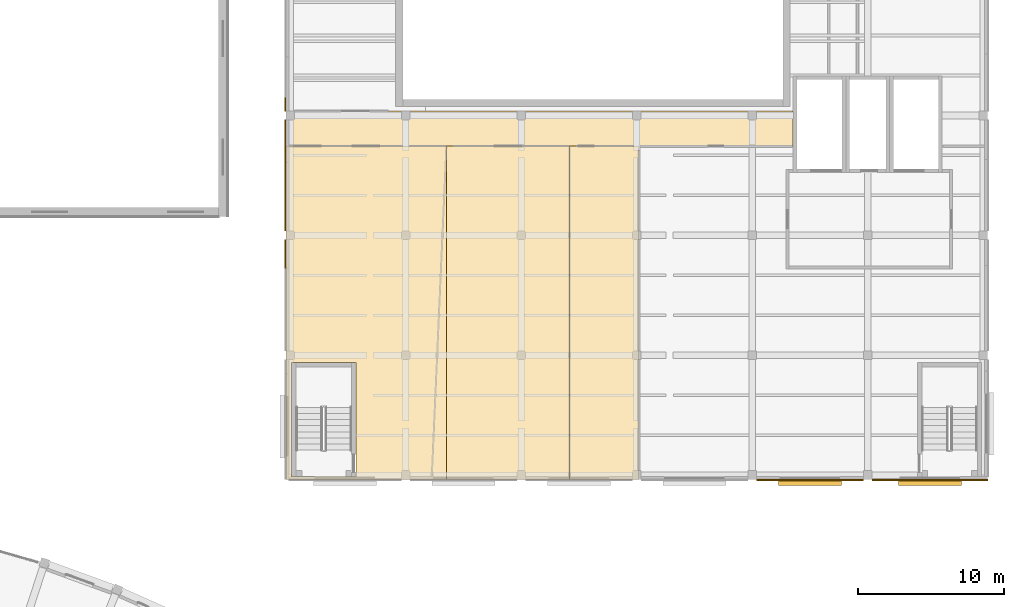
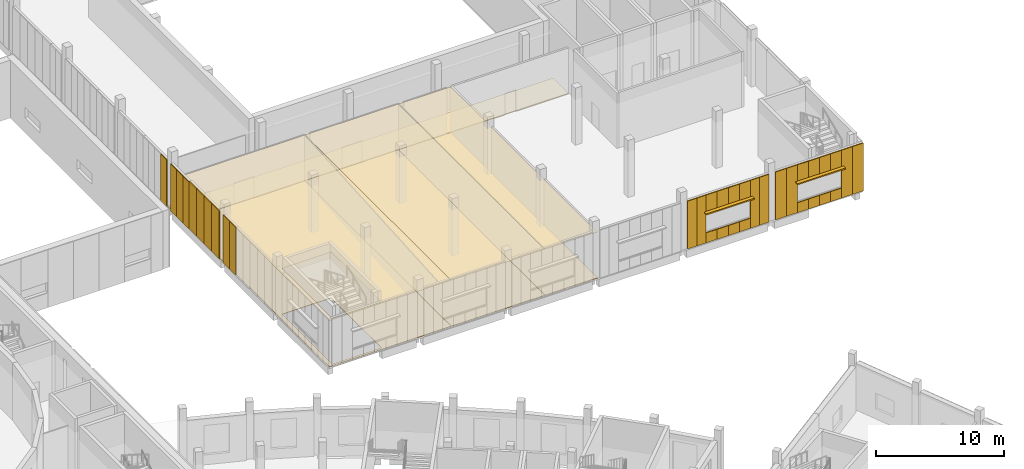
# One storey, part 83 of 87: 41 coverings, 2 shading devices.
"""IFC4 building model written with IfcOpenShell, lengths in metres."""

import ifcopenshell
import ifcopenshell.guid

model = None  # the IFC model being written
_history = None  # IfcOwnerHistory: only IFC2X3 demands one
_inside = {}  # id of a spatial element -> (the spatial element, [elements in it])
_under = {}  # id of a project, library or spatial element -> (it, [spatial elements below it])
_declared = {}  # id of a project -> (the project, [libraries it declares])
_typed = {}  # id of a type object -> (the type object, [elements of that type])
_made_of = {}  # id of a material, layer set ... -> (it, [elements and type objects made of it])


def new_model(schema):
    """Start an empty IFC model of exactly this schema.

    Asked for "IFC4X3", IfcOpenShell would pick the latest addendum, in which some entities
    have other attributes; the version numbers below select the first issue.
    IFC2X3 requires an IfcOwnerHistory on every rooted entity: one is made here for all.
    """
    global model, _history
    if schema == "IFC4X3":
        model = ifcopenshell.file(schema_version=(4, 3, 0, 0))
    else:
        model = ifcopenshell.file(schema=schema)
    _inside.clear()
    _under.clear()
    _declared.clear()
    _typed.clear()
    _made_of.clear()
    _history = None
    if model.schema == "IFC2X3":
        org = make("IfcOrganization", Name="unknown")
        user = make(
            "IfcPersonAndOrganization",
            ThePerson=make("IfcPerson", FamilyName="unknown"),
            TheOrganization=org,
        )
        app = make(
            "IfcApplication",
            ApplicationDeveloper=org,
            Version="unknown",
            ApplicationFullName="unknown",
            ApplicationIdentifier="unknown",
        )
        _history = make(
            "IfcOwnerHistory",
            OwningUser=user,
            OwningApplication=app,
            ChangeAction="ADDED",
            CreationDate=0,
        )
    return model


def make(cls, **values):
    """One entity of the class cls with the attributes given. An attribute that is None is left unset."""
    return model.create_entity(
        cls, **{name: value for name, value in values.items() if value is not None}
    )


def rooted(cls, **values):
    """An entity with a GlobalId (a new one), such as an element, a storey or a relation."""
    return make(cls, GlobalId=ifcopenshell.guid.new(), OwnerHistory=_history, **values)


def si_unit(unit_type, name, prefix=None):
    """IfcSIUnit, for example si_unit("LENGTHUNIT", "METRE", prefix="MILLI")."""
    return make("IfcSIUnit", UnitType=unit_type, Prefix=prefix, Name=name)


def assignment(units):
    """IfcUnitAssignment: the units of a project."""
    return None if units is None else make("IfcUnitAssignment", Units=units)


def point(xyz):
    """IfcCartesianPoint."""
    return None if xyz is None else make("IfcCartesianPoint", Coordinates=xyz)


def direction(xyz):
    """IfcDirection."""
    return None if xyz is None else make("IfcDirection", DirectionRatios=xyz)


def frame(location, z_axis=None, x_axis=None):
    """IfcAxis2Placement3D, a coordinate frame: its origin and axes. An axis left out is left unset."""
    return make(
        "IfcAxis2Placement3D",
        Location=point(location),
        Axis=direction(z_axis),
        RefDirection=direction(x_axis),
    )


def frame_2d(location, x_axis=None):
    """IfcAxis2Placement2D, a coordinate frame in the plane: its origin and x axis."""
    return make(
        "IfcAxis2Placement2D", Location=point(location), RefDirection=direction(x_axis)
    )


def origin():
    """The frame at (0, 0, 0) with its axes left unset."""
    return frame((0.0, 0.0, 0.0))


def origin_2d():
    """The frame at (0, 0) in the plane with its x axis left unset."""
    return frame_2d((0.0, 0.0))


def place(relative_to, where):
    """IfcLocalPlacement: puts the frame where relative to a parent placement (None: the world)."""
    return make(
        "IfcLocalPlacement", PlacementRelTo=relative_to, RelativePlacement=where
    )


def context(
    kind, dimensions, precision=None, world=None, true_north=None, identifier=None
):
    """IfcGeometricRepresentationContext, for example the 3D "Model" context."""
    return make(
        "IfcGeometricRepresentationContext",
        ContextIdentifier=identifier,
        ContextType=kind,
        CoordinateSpaceDimension=dimensions,
        Precision=precision,
        WorldCoordinateSystem=world,
        TrueNorth=true_north,
    )


def subcontext(parent, identifier, kind, view, scale=None):
    """IfcGeometricRepresentationSubContext, for example "Body" below "Model"."""
    return make(
        "IfcGeometricRepresentationSubContext",
        ContextIdentifier=identifier,
        ContextType=kind,
        ParentContext=parent,
        TargetScale=scale,
        TargetView=view,
    )


def project(units=None, contexts=None):
    """IfcProject with its units and contexts."""
    return rooted(
        "IfcProject",
        Name="project",
        RepresentationContexts=contexts,
        UnitsInContext=assignment(units),
    )


def spatial(cls, under=None, at=None, **own):
    """A site, building, storey or space (cls), placed at a placement, below another one or the project."""
    s = rooted(cls, ObjectPlacement=at, **own)
    if under is not None:
        _under.setdefault(under.id(), (under, []))[1].append(s)
    return s


def polyline(points):
    """IfcPolyline through the points."""
    return make("IfcPolyline", Points=[point(p) for p in points])


def profile(cls, at=None, kind="AREA", **sizes):
    """A parametric profile (cls). Its sizes go by their IFC names, for example OverallWidth=200.0."""
    return make(cls, ProfileType=kind, Position=at, **sizes)


def rectangle(**sizes):
    """IfcRectangleProfileDef."""
    return profile("IfcRectangleProfileDef", **sizes)


def outline(outer, holes=None, kind="AREA"):
    """IfcArbitraryClosedProfileDef: a profile drawn as a closed curve; with holes, ...WithVoids."""
    if holes is None:
        return make("IfcArbitraryClosedProfileDef", ProfileType=kind, OuterCurve=outer)
    return make(
        "IfcArbitraryProfileDefWithVoids",
        ProfileType=kind,
        OuterCurve=outer,
        InnerCurves=holes,
    )


def extrude(swept, where, along, depth):
    """IfcExtrudedAreaSolid: the profile swept, set in the frame where, extruded along a direction by depth."""
    return make(
        "IfcExtrudedAreaSolid",
        SweptArea=swept,
        Position=where,
        ExtrudedDirection=direction(along),
        Depth=depth,
    )


def shape(context_of_items, identifier, shape_type, items):
    """IfcShapeRepresentation: the items that make up one representation, for example the "Body"."""
    return make(
        "IfcShapeRepresentation",
        ContextOfItems=context_of_items,
        RepresentationIdentifier=identifier,
        RepresentationType=shape_type,
        Items=items,
    )


def material(Name=None, Category=None):
    """IfcMaterial."""
    return make("IfcMaterial", Name=Name, Category=Category)


def layer(
    of_material, thickness, ventilated=None, Name=None, Category=None, Priority=None
):
    """IfcMaterialLayer: one layer of a wall or slab, of a material (None: an air gap)."""
    return make(
        "IfcMaterialLayer",
        Material=of_material,
        LayerThickness=thickness,
        IsVentilated=ventilated,
        Name=Name,
        Category=Category,
        Priority=Priority,
    )


def layer_set(layers, Name=None):
    """IfcMaterialLayerSet."""
    return make("IfcMaterialLayerSet", MaterialLayers=layers, LayerSetName=Name)


def made_of(thing, what):
    """Note that an element or type object is made of a material, layer set ...; save() writes the relation."""
    if what is not None:
        _made_of.setdefault(what.id(), (what, []))[1].append(thing)
    return thing


def type_object(cls, material=None, **own):
    """A type object (cls), such as IfcWallType, which elements share."""
    return made_of(rooted(cls, **own), material)


def element(
    cls,
    number,
    at=None,
    inside=None,
    cuts=None,
    type_object=None,
    material=None,
    context=None,
    identifier="Body",
    shape_type=None,
    held_by="IfcProductDefinitionShape",
    body=None,
    shapes=None,
    **own,
):
    """One element of the class cls, such as IfcWall. Its Tag is "e" and its number.

    at: its placement. inside: the storey or other place that contains it. cuts: it is an
    opening in that element (IfcRelVoidsElement). A single representation is given by context,
    identifier, shape_type and body (its items); several are given by shapes. held_by: the class
    of the entity that holds the representations. save() writes the other relations.
    """
    e = rooted(cls, Tag="e%d" % number, ObjectPlacement=at, **own)
    if body is not None:
        shapes = [shape(context, identifier, shape_type, body)]
    if shapes is not None:
        e.Representation = make(held_by, Representations=shapes)
    if inside is not None:
        _inside.setdefault(inside.id(), (inside, []))[1].append(e)
    if cuts is not None:
        rooted(
            "IfcRelVoidsElement", RelatingBuildingElement=cuts, RelatedOpeningElement=e
        )
    if type_object is not None:
        _typed.setdefault(type_object.id(), (type_object, []))[1].append(e)
    return made_of(e, material)


def aggregate(whole, parts):
    """IfcRelAggregates: a whole, such as a stair, and the parts it consists of."""
    return rooted("IfcRelAggregates", RelatingObject=whole, RelatedObjects=parts)


def save(model, path):
    """Write the relations noted so far, then the file.

    IfcRelAggregates (storeys below a building ...), IfcRelContainedInSpatialStructure (elements
    in a storey), IfcRelDefinesByType, IfcRelAssociatesMaterial and IfcRelDeclares: one each for
    every whole, place, type object, material and project.
    """
    for whole, parts in _under.values():
        aggregate(whole, parts)
    for where, things in _inside.values():
        rooted(
            "IfcRelContainedInSpatialStructure",
            RelatedElements=things,
            RelatingStructure=where,
        )
    for kind, things in _typed.values():
        rooted("IfcRelDefinesByType", RelatedObjects=things, RelatingType=kind)
    for what, things in _made_of.values():
        rooted("IfcRelAssociatesMaterial", RelatedObjects=things, RelatingMaterial=what)
    for by, libraries in _declared.values():
        rooted("IfcRelDeclares", RelatingContext=by, RelatedDefinitions=libraries)
    model.write(path)


model = new_model("IFC4")

# Units and contexts
model_context = context("Model", 3, precision=1e-05, world=origin(), true_north=direction((0.0, 1.0)))
body_context = subcontext(model_context, "Body", "Model", "MODEL_VIEW")
ifc_project = project(units=[si_unit("LENGTHUNIT", "METRE"), si_unit("AREAUNIT", "SQUARE_METRE"), si_unit("VOLUMEUNIT", "CUBIC_METRE"), si_unit("PLANEANGLEUNIT", "RADIAN"), si_unit("MASSUNIT", "GRAM", prefix="KILO")], contexts=[model_context])

# Site, building, storey
site_placement = place(None, origin())
site = spatial("IfcSite", under=ifc_project, at=site_placement, CompositionType="ELEMENT")
building_placement = place(site_placement, origin())
building = spatial("IfcBuilding", under=site, at=building_placement, Name="Lunette Opera House", CompositionType="ELEMENT")
storey_placement = place(building_placement, frame((0.0, 0.0, 11.5)))
storey = spatial("IfcBuildingStorey", under=building, at=storey_placement, Name="L02", CompositionType="ELEMENT", Elevation=11.5)

# Coverings
ifc_material_1 = material(Name="Dark grey aluminium cassette", Category="aluminium")
ifc_layer_1 = layer(ifc_material_1, 0.080078125)
ifc_layer_set_1 = layer_set([ifc_layer_1], Name="Dark grey aluminium cassette")
covering_type_1 = type_object("IfcCoveringType", Name="DARK METAL CASSETTE 80", PredefinedType="CLADDING", material=ifc_layer_set_1)
covering_1_placement = place(storey_placement, frame((135.9599609375, 103.6630859375, 0.0), z_axis=(0.0, 0.0, 1.0), x_axis=(0.0, -1.0, 0.0)))
element("IfcCovering", 1, at=covering_1_placement, inside=storey, type_object=covering_type_1, Name="Dark Metal Cassette 80 WK L02", PredefinedType="CLADDING", context=body_context, shape_type="SweptSolid", body=[
    extrude(rectangle(XDim=0.925048828125, YDim=0.080078125, at=origin_2d()), origin(), (0.0, 0.0, 1.0), 4.449951171875),
])
for number, where, z_axis, x_axis, name in (
    (2, (135.9599609375, 102.112060546875, 0.0), (0.0, 0.0, 1.0), (0.0, -1.0, 0.0), "Dark Metal Cassette 80 WK L02"),
    (3, (135.9599609375, 101.136962890625, 0.0), (0.0, 0.0, 1.0), (0.0, -1.0, 0.0), "Dark Metal Cassette 80 WK L02"),
    (4, (135.9599609375, 100.162109375, 0.0), (0.0, 0.0, 1.0), (0.0, -1.0, 0.0), "Dark Metal Cassette 80 WK L02"),
):
    element("IfcCovering", number, at=place(storey_placement, frame(where, z_axis=z_axis, x_axis=x_axis)), inside=storey, type_object=covering_type_1, Name=name, PredefinedType="CLADDING", context=body_context, shape_type="SweptSolid", body=[
        extrude(rectangle(XDim=0.97509765625, YDim=0.080078125, at=origin_2d()), origin(), (0.0, 0.0, 1.0), 4.449951171875),
    ])
for number, where, z_axis, x_axis, name in (
    (5, (135.9599609375, 99.091064453125, 0.0), (0.0, 0.0, 1.0), (0.0, -1.0, 0.0), "Dark Metal Cassette 80 WK L02"),
    (6, (135.9599609375, 97.922119140625, 0.0), (0.0, 0.0, 1.0), (0.0, -1.0, 0.0), "Dark Metal Cassette 80 WK L02"),
    (7, (135.9599609375, 96.7529296875, 0.0), (0.0, 0.0, 1.0), (0.0, -1.0, 0.0), "Dark Metal Cassette 80 WK L02"),
    (8, (135.9599609375, 95.583984375, 0.0), (0.0, 0.0, 1.0), (0.0, -1.0, 0.0), "Dark Metal Cassette 80 WK L02"),
):
    element("IfcCovering", number, at=place(storey_placement, frame(where, z_axis=z_axis, x_axis=x_axis)), inside=storey, type_object=covering_type_1, Name=name, PredefinedType="CLADDING", context=body_context, shape_type="SweptSolid", body=[
        extrude(rectangle(XDim=1.1689453125, YDim=0.080078125, at=origin_2d()), origin(), (0.0, 0.0, 1.0), 4.550048828125),
    ])
for number, where, z_axis, x_axis, name in (
    (9, (135.9599609375, 93.9130859375, 0.0), (0.0, 0.0, 1.0), (0.0, -1.0, 0.0), "Dark Metal Cassette 80 WK L02"),
    (10, (135.9599609375, 92.93798828125, 0.0), (0.0, 0.0, 1.0), (0.0, -1.0, 0.0), "Dark Metal Cassette 80 WK L02"),
):
    element("IfcCovering", number, at=place(storey_placement, frame(where, z_axis=z_axis, x_axis=x_axis)), inside=storey, type_object=covering_type_1, Name=name, PredefinedType="CLADDING", context=body_context, shape_type="SweptSolid", body=[
        extrude(rectangle(XDim=0.97509765625, YDim=0.080078125, at=origin_2d()), origin(), (0.0, 0.0, 1.0), 4.550048828125),
    ])
for number, where, z_axis, x_axis, name in (
    (11, (168.612060546875, 77.9599609375, 0.0), (0.0, 0.0, 1.0), (1.0, 0.0, 0.0), "Dark Metal Cassette 80 WK L02"),
    (12, (169.43798828125, 77.9599609375, 0.0), (0.0, 0.0, 1.0), (1.0, 0.0, 0.0), "Dark Metal Cassette 80 WK L02"),
):
    element("IfcCovering", number, at=place(storey_placement, frame(where, z_axis=z_axis, x_axis=x_axis)), inside=storey, type_object=covering_type_1, Name=name, PredefinedType="CLADDING", context=body_context, shape_type="SweptSolid", body=[
        extrude(rectangle(XDim=0.824951171875, YDim=0.080078125, at=origin_2d()), origin(), (0.0, 0.0, 1.0), 4.550048828125),
    ])
covering_2_placement = place(storey_placement, frame((170.35009765625, 77.9599609375, 0.0), z_axis=(0.0, 0.0, 1.0), x_axis=(1.0, 0.0, 0.0)))
element("IfcCovering", 13, at=covering_2_placement, inside=storey, type_object=covering_type_1, Name="Dark Metal Cassette 80 WK L02", PredefinedType="CLADDING", context=body_context, shape_type="SweptSolid", body=[
    extrude(rectangle(XDim=1.0, YDim=0.080078125, at=origin_2d()), origin(), (0.0, 0.0, 1.0), 0.949951171875),
])
covering_3_placement = place(storey_placement, frame((170.35009765625, 77.9599609375, 3.0), z_axis=(0.0, 0.0, 1.0), x_axis=(1.0, 0.0, 0.0)))
element("IfcCovering", 14, at=covering_3_placement, inside=storey, type_object=covering_type_1, Name="Dark Metal Cassette 80 WK L02", PredefinedType="CLADDING", context=body_context, shape_type="SweptSolid", body=[
    extrude(rectangle(XDim=1.0, YDim=0.080078125, at=origin_2d()), origin(), (0.0, 0.0, 1.0), 1.550048828125),
])
covering_4_placement = place(storey_placement, frame((171.35009765625, 77.9599609375, 0.0), z_axis=(0.0, 0.0, 1.0), x_axis=(1.0, 0.0, 0.0)))
element("IfcCovering", 15, at=covering_4_placement, inside=storey, type_object=covering_type_1, Name="Dark Metal Cassette 80 WK L02", PredefinedType="CLADDING", context=body_context, shape_type="SweptSolid", body=[
    extrude(rectangle(XDim=1.0, YDim=0.080078125, at=origin_2d()), origin(), (0.0, 0.0, 1.0), 0.949951171875),
])
covering_5_placement = place(storey_placement, frame((171.35009765625, 77.9599609375, 3.0), z_axis=(0.0, 0.0, 1.0), x_axis=(1.0, 0.0, 0.0)))
element("IfcCovering", 16, at=covering_5_placement, inside=storey, type_object=covering_type_1, Name="Dark Metal Cassette 80 WK L02", PredefinedType="CLADDING", context=body_context, shape_type="SweptSolid", body=[
    extrude(rectangle(XDim=1.0, YDim=0.080078125, at=origin_2d()), origin(), (0.0, 0.0, 1.0), 1.550048828125),
])
covering_6_placement = place(storey_placement, frame((172.35009765625, 77.9599609375, 0.0), z_axis=(0.0, 0.0, 1.0), x_axis=(1.0, 0.0, 0.0)))
element("IfcCovering", 17, at=covering_6_placement, inside=storey, type_object=covering_type_1, Name="Dark Metal Cassette 80 WK L02", PredefinedType="CLADDING", context=body_context, shape_type="SweptSolid", body=[
    extrude(rectangle(XDim=1.0, YDim=0.080078125, at=origin_2d()), origin(), (0.0, 0.0, 1.0), 0.949951171875),
])
covering_7_placement = place(storey_placement, frame((172.35009765625, 77.9599609375, 3.0), z_axis=(0.0, 0.0, 1.0), x_axis=(1.0, 0.0, 0.0)))
element("IfcCovering", 18, at=covering_7_placement, inside=storey, type_object=covering_type_1, Name="Dark Metal Cassette 80 WK L02", PredefinedType="CLADDING", context=body_context, shape_type="SweptSolid", body=[
    extrude(rectangle(XDim=1.0, YDim=0.080078125, at=origin_2d()), origin(), (0.0, 0.0, 1.0), 1.550048828125),
])
covering_8_placement = place(storey_placement, frame((173.35009765625, 77.9599609375, 0.0), z_axis=(0.0, 0.0, 1.0), x_axis=(1.0, 0.0, 0.0)))
element("IfcCovering", 19, at=covering_8_placement, inside=storey, type_object=covering_type_1, Name="Dark Metal Cassette 80 WK L02", PredefinedType="CLADDING", context=body_context, shape_type="SweptSolid", body=[
    extrude(rectangle(XDim=1.0, YDim=0.080078125, at=origin_2d()), origin(), (0.0, 0.0, 1.0), 0.949951171875),
])
covering_9_placement = place(storey_placement, frame((173.35009765625, 77.9599609375, 3.0), z_axis=(0.0, 0.0, 1.0), x_axis=(1.0, 0.0, 0.0)))
element("IfcCovering", 20, at=covering_9_placement, inside=storey, type_object=covering_type_1, Name="Dark Metal Cassette 80 WK L02", PredefinedType="CLADDING", context=body_context, shape_type="SweptSolid", body=[
    extrude(rectangle(XDim=1.0, YDim=0.080078125, at=origin_2d()), origin(), (0.0, 0.0, 1.0), 1.550048828125),
])
for number, where, z_axis, x_axis, name in (
    (21, (174.261962890625, 77.9599609375, 0.0), (0.0, 0.0, 1.0), (1.0, 0.0, 0.0), "Dark Metal Cassette 80 WK L02"),
    (22, (175.087890625, 77.9599609375, 0.0), (0.0, 0.0, 1.0), (1.0, 0.0, 0.0), "Dark Metal Cassette 80 WK L02"),
):
    element("IfcCovering", number, at=place(storey_placement, frame(where, z_axis=z_axis, x_axis=x_axis)), inside=storey, type_object=covering_type_1, Name=name, PredefinedType="CLADDING", context=body_context, shape_type="SweptSolid", body=[
        extrude(rectangle(XDim=0.824951171875, YDim=0.080078125, at=origin_2d()), origin(), (0.0, 0.0, 1.0), 4.550048828125),
    ])
for number, where, z_axis, x_axis, name in (
    (23, (176.587890625, 77.9599609375, 0.0), (0.0, 0.0, 1.0), (1.0, 0.0, 0.0), "Dark Metal Cassette 80 WK L02"),
    (24, (177.56201171875, 77.9599609375, 0.0), (0.0, 0.0, 1.0), (1.0, 0.0, 0.0), "Dark Metal Cassette 80 WK L02"),
):
    element("IfcCovering", number, at=place(storey_placement, frame(where, z_axis=z_axis, x_axis=x_axis)), inside=storey, type_object=covering_type_1, Name=name, PredefinedType="CLADDING", context=body_context, shape_type="SweptSolid", body=[
        extrude(rectangle(XDim=0.97509765625, YDim=0.080078125, at=origin_2d()), origin(), (0.0, 0.0, 1.0), 4.550048828125),
    ])
covering_10_placement = place(storey_placement, frame((178.550048828125, 77.9599609375, 0.0), z_axis=(0.0, 0.0, 1.0), x_axis=(1.0, 0.0, 0.0)))
element("IfcCovering", 25, at=covering_10_placement, inside=storey, type_object=covering_type_1, Name="Dark Metal Cassette 80 WK L02", PredefinedType="CLADDING", context=body_context, shape_type="SweptSolid", body=[
    extrude(rectangle(XDim=1.0, YDim=0.080078125, at=origin_2d()), origin(), (0.0, 0.0, 1.0), 0.949951171875),
])
covering_11_placement = place(storey_placement, frame((178.550048828125, 77.9599609375, 3.0), z_axis=(0.0, 0.0, 1.0), x_axis=(1.0, 0.0, 0.0)))
element("IfcCovering", 26, at=covering_11_placement, inside=storey, type_object=covering_type_1, Name="Dark Metal Cassette 80 WK L02", PredefinedType="CLADDING", context=body_context, shape_type="SweptSolid", body=[
    extrude(rectangle(XDim=1.0, YDim=0.080078125, at=origin_2d()), origin(), (0.0, 0.0, 1.0), 1.550048828125),
])
covering_12_placement = place(storey_placement, frame((179.550048828125, 77.9599609375, 0.0), z_axis=(0.0, 0.0, 1.0), x_axis=(1.0, 0.0, 0.0)))
element("IfcCovering", 27, at=covering_12_placement, inside=storey, type_object=covering_type_1, Name="Dark Metal Cassette 80 WK L02", PredefinedType="CLADDING", context=body_context, shape_type="SweptSolid", body=[
    extrude(rectangle(XDim=1.0, YDim=0.080078125, at=origin_2d()), origin(), (0.0, 0.0, 1.0), 0.949951171875),
])
covering_13_placement = place(storey_placement, frame((179.550048828125, 77.9599609375, 3.0), z_axis=(0.0, 0.0, 1.0), x_axis=(1.0, 0.0, 0.0)))
element("IfcCovering", 28, at=covering_13_placement, inside=storey, type_object=covering_type_1, Name="Dark Metal Cassette 80 WK L02", PredefinedType="CLADDING", context=body_context, shape_type="SweptSolid", body=[
    extrude(rectangle(XDim=1.0, YDim=0.080078125, at=origin_2d()), origin(), (0.0, 0.0, 1.0), 1.550048828125),
])
covering_14_placement = place(storey_placement, frame((180.550048828125, 77.9599609375, 0.0), z_axis=(0.0, 0.0, 1.0), x_axis=(1.0, 0.0, 0.0)))
element("IfcCovering", 29, at=covering_14_placement, inside=storey, type_object=covering_type_1, Name="Dark Metal Cassette 80 WK L02", PredefinedType="CLADDING", context=body_context, shape_type="SweptSolid", body=[
    extrude(rectangle(XDim=1.0, YDim=0.080078125, at=origin_2d()), origin(), (0.0, 0.0, 1.0), 0.949951171875),
])
covering_15_placement = place(storey_placement, frame((180.550048828125, 77.9599609375, 3.0), z_axis=(0.0, 0.0, 1.0), x_axis=(1.0, 0.0, 0.0)))
element("IfcCovering", 30, at=covering_15_placement, inside=storey, type_object=covering_type_1, Name="Dark Metal Cassette 80 WK L02", PredefinedType="CLADDING", context=body_context, shape_type="SweptSolid", body=[
    extrude(rectangle(XDim=1.0, YDim=0.080078125, at=origin_2d()), origin(), (0.0, 0.0, 1.0), 1.550048828125),
])
covering_16_placement = place(storey_placement, frame((181.550048828125, 77.9599609375, 0.0), z_axis=(0.0, 0.0, 1.0), x_axis=(1.0, 0.0, 0.0)))
element("IfcCovering", 31, at=covering_16_placement, inside=storey, type_object=covering_type_1, Name="Dark Metal Cassette 80 WK L02", PredefinedType="CLADDING", context=body_context, shape_type="SweptSolid", body=[
    extrude(rectangle(XDim=1.0, YDim=0.080078125, at=origin_2d()), origin(), (0.0, 0.0, 1.0), 0.949951171875),
])
covering_17_placement = place(storey_placement, frame((181.550048828125, 77.9599609375, 3.0), z_axis=(0.0, 0.0, 1.0), x_axis=(1.0, 0.0, 0.0)))
element("IfcCovering", 32, at=covering_17_placement, inside=storey, type_object=covering_type_1, Name="Dark Metal Cassette 80 WK L02", PredefinedType="CLADDING", context=body_context, shape_type="SweptSolid", body=[
    extrude(rectangle(XDim=1.0, YDim=0.080078125, at=origin_2d()), origin(), (0.0, 0.0, 1.0), 1.550048828125),
])
for number, where, z_axis, x_axis, name in (
    (33, (182.537109375, 77.9599609375, 0.0), (0.0, 0.0, 1.0), (1.0, 0.0, 0.0), "Dark Metal Cassette 80 WK L02"),
    (34, (183.511962890625, 77.9599609375, 0.0), (0.0, 0.0, 1.0), (1.0, 0.0, 0.0), "Dark Metal Cassette 80 WK L02"),
):
    element("IfcCovering", number, at=place(storey_placement, frame(where, z_axis=z_axis, x_axis=x_axis)), inside=storey, type_object=covering_type_1, Name=name, PredefinedType="CLADDING", context=body_context, shape_type="SweptSolid", body=[
        extrude(rectangle(XDim=0.97509765625, YDim=0.080078125, at=origin_2d()), origin(), (0.0, 0.0, 1.0), 4.550048828125),
    ])
ifc_material_2 = material(Name="Cement screed")
ifc_layer_2 = layer(ifc_material_2, 0.070068359375)
ifc_layer_set_2 = layer_set([ifc_layer_2], Name="Cement screed")
covering_type_2 = type_object("IfcCoveringType", Name="SCREED FLOOR FINISH 70", PredefinedType="FLOORING", material=ifc_layer_set_2)
covering_18_placement = place(storey_placement, origin())
element("IfcCovering", 35, at=covering_18_placement, inside=storey, type_object=covering_type_2, Name="Floor finish Corridor L02 Workshop West South", PredefinedType="FLOORING", context=body_context, shape_type="SweptSolid", body=[
    extrude(outline(polyline([(170.699951171875, 103.199951171875), (170.699951171875, 100.800048828125), (136.0, 100.800048828125), (136.0, 103.199951171875), (170.699951171875, 103.199951171875)])), origin(), (0.0, 0.0, 1.0), 0.070068359375),
])
ifc_material_3 = material(Name="Mineral fibre board")
ifc_layer_3 = layer(ifc_material_3, 0.014892578125)
ifc_layer_set_3 = layer_set([ifc_layer_3], Name="Mineral fibre board")
covering_type_3 = type_object("IfcCoveringType", Name="SUSPENDED ACOUSTIC CEILING 15", PredefinedType="CEILING", material=ifc_layer_set_3)
covering_19_placement = place(storey_placement, frame((0.0, 0.0, 4.385009765625)))
element("IfcCovering", 36, at=covering_19_placement, inside=storey, type_object=covering_type_3, Name="Ceiling Textile Studio", PredefinedType="CEILING", context=body_context, shape_type="SweptSolid", body=[
    extrude(outline(polyline([(136.0, 100.800048828125), (146.97900390625, 100.800048828125), (146.97900390625, 78.0), (136.0, 78.0), (136.0, 100.800048828125)]), holes=[polyline([(136.39990234375, 78.199951171875), (140.800048828125, 78.199951171875), (140.800048828125, 86.0), (136.39990234375, 86.0), (136.39990234375, 78.199951171875)])]), origin(), (0.0, 0.0, 1.0), 0.014892578125),
])
covering_20_placement = place(storey_placement, frame((0.0, 0.0, 4.385009765625)))
element("IfcCovering", 37, at=covering_20_placement, inside=storey, type_object=covering_type_3, Name="Ceiling Model Making Studio", PredefinedType="CEILING", context=body_context, shape_type="SweptSolid", body=[
    extrude(outline(polyline([(146.97900390625, 78.0), (146.97900390625, 100.800048828125), (155.40087890625, 100.800048828125), (155.40087890625, 78.0), (146.97900390625, 78.0)])), origin(), (0.0, 0.0, 1.0), 0.014892578125),
])
covering_21_placement = place(storey_placement, frame((0.0, 0.0, 4.385009765625)))
element("IfcCovering", 38, at=covering_21_placement, inside=storey, type_object=covering_type_3, Name="Ceiling Workshop Staff Room", PredefinedType="CEILING", context=body_context, shape_type="SweptSolid", body=[
    extrude(outline(polyline([(155.40087890625, 78.0), (155.40087890625, 100.800048828125), (160.137939453125, 100.800048828125), (160.137939453125, 78.0), (155.40087890625, 78.0)])), origin(), (0.0, 0.0, 1.0), 0.014892578125),
])
ifc_material_4 = material(Name="Timber", Category="wood")
ifc_layer_4 = layer(ifc_material_4, 0.0400390625)
ifc_layer_set_4 = layer_set([ifc_layer_4], Name="Timber")
covering_type_4 = type_object("IfcCoveringType", Name="TIMBER FLOOR FINISH 40", PredefinedType="FLOORING", material=ifc_layer_set_4)
covering_22_placement = place(storey_placement, origin())
element("IfcCovering", 39, at=covering_22_placement, inside=storey, type_object=covering_type_4, Name="Floor finish Textile Studio", PredefinedType="FLOORING", context=body_context, shape_type="SweptSolid", body=[
    extrude(outline(polyline([(136.0, 100.800048828125), (146.97900390625, 100.800048828125), (146.97900390625, 78.0), (136.0, 78.0), (136.0, 100.800048828125)]), holes=[polyline([(136.39990234375, 78.199951171875), (140.800048828125, 78.199951171875), (140.800048828125, 86.0), (136.39990234375, 86.0), (136.39990234375, 78.199951171875)])]), origin(), (0.0, 0.0, 1.0), 0.0400390625),
])
covering_23_placement = place(storey_placement, origin())
element("IfcCovering", 40, at=covering_23_placement, inside=storey, type_object=covering_type_4, Name="Floor finish Model Making Studio", PredefinedType="FLOORING", context=body_context, shape_type="SweptSolid", body=[
    extrude(outline(polyline([(146.97900390625, 78.0), (146.97900390625, 100.800048828125), (155.40087890625, 100.800048828125), (155.40087890625, 78.0), (146.97900390625, 78.0)])), origin(), (0.0, 0.0, 1.0), 0.0400390625),
])
covering_24_placement = place(storey_placement, origin())
element("IfcCovering", 41, at=covering_24_placement, inside=storey, type_object=covering_type_4, Name="Floor finish Workshop Staff Room", PredefinedType="FLOORING", context=body_context, shape_type="SweptSolid", body=[
    extrude(outline(polyline([(155.40087890625, 78.0), (155.40087890625, 100.800048828125), (160.137939453125, 100.800048828125), (160.137939453125, 78.0), (155.40087890625, 78.0)])), origin(), (0.0, 0.0, 1.0), 0.0400390625),
])

# Shading devices
ifc_material_5 = material(Name="Powder-coated aluminium", Category="aluminium")
ifc_layer_5 = layer(ifc_material_5, 0.1201171875)
ifc_layer_set_5 = layer_set([ifc_layer_5], Name="Powder-coated aluminium")
shading_device_type = type_object("IfcShadingDeviceType", Name="WINDOW HOOD 400 X 4300", PredefinedType="USERDEFINED", material=ifc_layer_set_5)
for number, where, z_axis, x_axis, name in (
    (42, (171.85009765625, 77.800048828125, 2.8798828125), (0.0, 0.0, 1.0), (0.0, -1.0, 0.0), "Window hood WW-N2031"),
    (43, (180.050048828125, 77.800048828125, 2.8798828125), (0.0, 0.0, 1.0), (0.0, -1.0, 0.0), "Window hood WW-N2032"),
):
    element("IfcShadingDevice", number, at=place(storey_placement, frame(where, z_axis=z_axis, x_axis=x_axis)), inside=storey, type_object=shading_device_type, Name=name, ObjectType="WINDOW HOOD", PredefinedType="USERDEFINED", context=body_context, shape_type="SweptSolid", body=[
        extrude(rectangle(XDim=0.39990234375, YDim=4.300048828125, at=origin_2d()), origin(), (0.0, 0.0, 1.0), 0.1201171875),
    ])

save(model, "model.ifc")
